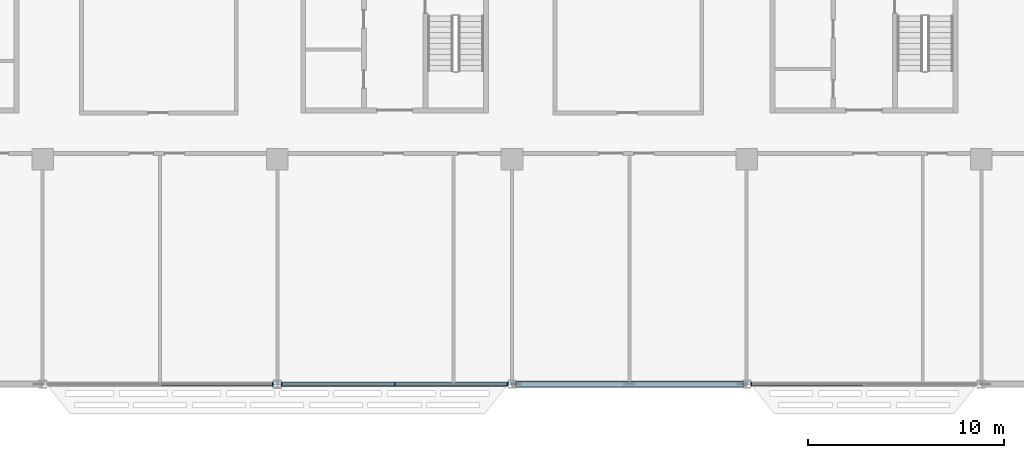
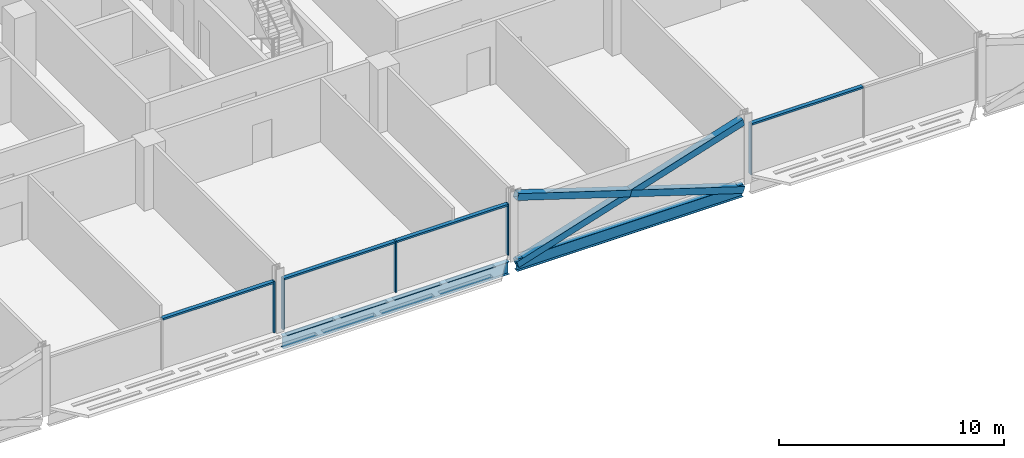
# One storey, part 6 of 30: 12 members, 2 beams, 3 elements without a shape of their own.
"""IFC4 building model written with IfcOpenShell, lengths in metres."""

from ifc_helpers import new_model, si_unit, direction, frame, origin, origin_2d, place, context, subcontext, project, spatial, rectangle, hollow_rectangle, i_section, extrude, material, material_profile, profile_set, type_object, element, aggregate, save


model = new_model("IFC4")

# Units and contexts
model_context = context("Model", 3, precision=1e-05, world=origin(), true_north=direction((0.0, 1.0)))
body_context = subcontext(model_context, "Body", "Model", "MODEL_VIEW")
ifc_project = project(units=[si_unit("LENGTHUNIT", "METRE"), si_unit("AREAUNIT", "SQUARE_METRE"), si_unit("VOLUMEUNIT", "CUBIC_METRE"), si_unit("PLANEANGLEUNIT", "RADIAN"), si_unit("MASSUNIT", "GRAM", prefix="KILO")], contexts=[model_context])

# Site, building, storey
site_placement = place(None, origin())
site = spatial("IfcSite", under=ifc_project, at=site_placement, CompositionType="ELEMENT")
building_placement = place(site_placement, origin())
building = spatial("IfcBuilding", under=site, at=building_placement, Name="Mahtab Terrace Research Tower", CompositionType="ELEMENT")
storey_placement = place(building_placement, frame((0.0, 0.0, 201.5)))
storey = spatial("IfcBuildingStorey", under=building, at=storey_placement, Name="L48", CompositionType="ELEMENT", Elevation=201.5)

# Members
ifc_material_1 = material(Name="Steel ASTM A500 Gr C", Category="steel")
ifc_material_profile_1 = material_profile(ifc_material_1, hollow_rectangle(XDim=0.355712890625, YDim=0.355712890625, WallThickness=0.015869140625, at=origin_2d()), Name="HSS14X14X5/8")
ifc_profile_set_1 = profile_set([ifc_material_profile_1], Name="Steel ASTM A500 Gr C")
member_type_1 = type_object("IfcMemberType", Name="HSS 14x14x5/8 brace XB141458", PredefinedType="BRACE", material=ifc_profile_set_1)
member_1_placement = place(storey_placement, frame((6.20068359375, -23.0, -0.615478515625), z_axis=(0.953343380425, 0.0, 0.301888057067), x_axis=(0.0, 1.0, 0.0)))
element("IfcMember", 1, at=member_1_placement, inside=storey, type_object=member_type_1, Name="Exoskeleton brace L48 17 a", PredefinedType="BRACE", context=body_context, shape_type="SweptSolid", body=[
    extrude(hollow_rectangle(XDim=0.355712890625, YDim=0.355712890625, WallThickness=0.015869140625, at=origin_2d()), origin(), (0.0, 0.0, 1.0), 12.166259765625),
])
for number, where, z_axis, x_axis, name in (
    (2, (17.79931640625, -23.0, -0.615478515625), (-0.953343380425, 0.0, 0.301888057067), (0.0, -1.0, 0.0), "Exoskeleton brace L48 17 b1"),
    (3, (12.0, -23.0, 1.220947265625), (-0.953343380425, 0.0, 0.301888057067), (0.0, -1.0, 0.0), "Exoskeleton brace L48 17 b2"),
):
    element("IfcMember", number, at=place(storey_placement, frame(where, z_axis=z_axis, x_axis=x_axis)), inside=storey, type_object=member_type_1, Name=name, PredefinedType="BRACE", context=body_context, shape_type="SweptSolid", body=[
        extrude(hollow_rectangle(XDim=0.355712890625, YDim=0.355712890625, WallThickness=0.015869140625, at=origin_2d()), origin(), (0.0, 0.0, 1.0), 6.083251953125),
    ])

# Curtain wall, member
ifc_material_2 = material(Name="Laboratory ribbon curtain wall")
curtain_wall_type = type_object("IfcCurtainWallType", Name="Laboratory ribbon curtain wall", PredefinedType="NOTDEFINED", material=ifc_material_2)
curtain_wall_1_placement = place(storey_placement, origin())
curtain_wall_1 = element("IfcCurtainWall", 4, at=curtain_wall_1_placement, inside=storey, type_object=curtain_wall_type, Name="EN.L48.13.25", PredefinedType="NOTDEFINED")
ifc_material_3 = material(Name="Natural anodised aluminium", Category="aluminium")
ifc_material_profile_2 = material_profile(ifc_material_3, rectangle(XDim=0.199951171875, YDim=0.06494140625, at=origin_2d()), Name="MULLION 65x200")
ifc_profile_set_2 = profile_set([ifc_material_profile_2], Name="Natural anodised aluminium")
member_type_2 = type_object("IfcMemberType", Name="Laboratory ribbon curtain wall mullion", PredefinedType="MULLION", material=ifc_profile_set_2)
member_2_placement = place(storey_placement, frame((-6.232421875, -23.0, 0.0), z_axis=(0.0, 0.0, 1.0), x_axis=(0.0, 1.0, 0.0)))
member_2 = element("IfcMember", 5, at=member_2_placement, type_object=member_type_2, Name="CWL-6 mullion 3", PredefinedType="MULLION", context=body_context, shape_type="SweptSolid", body=[
    extrude(rectangle(XDim=0.199951171875, YDim=0.06494140625, at=origin_2d()), origin(), (0.0, 0.0, 1.0), 2.78173828125),
])

# Curtain wall, members
curtain_wall_2_placement = place(storey_placement, origin())
curtain_wall_2 = element("IfcCurtainWall", 6, at=curtain_wall_2_placement, inside=storey, type_object=curtain_wall_type, Name="EN.L48.13.26", PredefinedType="NOTDEFINED")
member_3_placement = place(storey_placement, frame((-5.767578125, -23.0, 0.0), z_axis=(0.0, 0.0, 1.0), x_axis=(0.0, 1.0, 0.0)))
member_3 = element("IfcMember", 7, at=member_3_placement, type_object=member_type_2, Name="CWL-6 mullion 1", PredefinedType="MULLION", context=body_context, shape_type="SweptSolid", body=[
    extrude(rectangle(XDim=0.199951171875, YDim=0.06494140625, at=origin_2d()), origin(), (0.0, 0.0, 1.0), 2.78173828125),
])
member_4_placement = place(storey_placement, frame((0.0, -23.0, 0.0), z_axis=(0.0, 0.0, 1.0), x_axis=(0.0, 1.0, 0.0)))
member_4 = element("IfcMember", 8, at=member_4_placement, type_object=member_type_2, Name="CWL-6 mullion 2", PredefinedType="MULLION", context=body_context, shape_type="SweptSolid", body=[
    extrude(rectangle(XDim=0.199951171875, YDim=0.06494140625, at=origin_2d()), origin(), (0.0, 0.0, 1.0), 2.78173828125),
])
member_5_placement = place(storey_placement, frame((5.767578125, -23.0, 0.0), z_axis=(0.0, 0.0, 1.0), x_axis=(0.0, 1.0, 0.0)))
member_5 = element("IfcMember", 9, at=member_5_placement, type_object=member_type_2, Name="CWL-6 mullion 3", PredefinedType="MULLION", context=body_context, shape_type="SweptSolid", body=[
    extrude(rectangle(XDim=0.199951171875, YDim=0.06494140625, at=origin_2d()), origin(), (0.0, 0.0, 1.0), 2.78173828125),
])

# Curtain wall, member
curtain_wall_3_placement = place(storey_placement, origin())
curtain_wall_3 = element("IfcCurtainWall", 10, at=curtain_wall_3_placement, inside=storey, type_object=curtain_wall_type, Name="EN.L48.13.28", PredefinedType="NOTDEFINED")
member_6_placement = place(storey_placement, frame((18.232421875, -23.0, 0.0), z_axis=(0.0, 0.0, 1.0), x_axis=(0.0, 1.0, 0.0)))
member_6 = element("IfcMember", 11, at=member_6_placement, type_object=member_type_2, Name="CWL-6 mullion 1", PredefinedType="MULLION", context=body_context, shape_type="SweptSolid", body=[
    extrude(rectangle(XDim=0.199951171875, YDim=0.06494140625, at=origin_2d()), origin(), (0.0, 0.0, 1.0), 2.78173828125),
])

# Member
ifc_material_profile_3 = material_profile(ifc_material_3, rectangle(XDim=0.199951171875, YDim=0.10009765625, at=origin_2d()), Name="TRANSOM 100x200")
ifc_profile_set_3 = profile_set([ifc_material_profile_3], Name="Natural anodised aluminium")
member_type_3 = type_object("IfcMemberType", Name="Laboratory ribbon curtain wall transom", PredefinedType="USERDEFINED", material=ifc_profile_set_3)
member_7_placement = place(storey_placement, frame((-11.967529296875, -23.0, 2.731689453125), z_axis=(1.0, 0.0, 0.0), x_axis=(0.0, 1.0, 0.0)))
member_7 = element("IfcMember", 12, at=member_7_placement, type_object=member_type_3, Name="CWL-6 transom 2", ObjectType="TRANSOM", PredefinedType="USERDEFINED", context=body_context, shape_type="SweptSolid", body=[
    extrude(rectangle(XDim=0.199951171875, YDim=0.10009765625, at=origin_2d()), origin(), (0.0, 0.0, 1.0), 5.70263671875),
])

aggregate(curtain_wall_1, [member_2, member_7])

member_8_placement = place(storey_placement, frame((-5.735107421875, -23.0, 2.731689453125), z_axis=(1.0, 0.0, 0.0), x_axis=(0.0, 1.0, 0.0)))
member_8 = element("IfcMember", 13, at=member_8_placement, type_object=member_type_3, Name="CWL-6 transom 1", ObjectType="TRANSOM", PredefinedType="USERDEFINED", context=body_context, shape_type="SweptSolid", body=[
    extrude(rectangle(XDim=0.199951171875, YDim=0.10009765625, at=origin_2d()), origin(), (0.0, 0.0, 1.0), 5.70263671875),
])

member_9_placement = place(storey_placement, frame((0.032470703125, -23.0, 2.731689453125), z_axis=(1.0, 0.0, 0.0), x_axis=(0.0, 1.0, 0.0)))
member_9 = element("IfcMember", 14, at=member_9_placement, type_object=member_type_3, Name="CWL-6 transom 2", ObjectType="TRANSOM", PredefinedType="USERDEFINED", context=body_context, shape_type="SweptSolid", body=[
    extrude(rectangle(XDim=0.199951171875, YDim=0.10009765625, at=origin_2d()), origin(), (0.0, 0.0, 1.0), 5.70263671875),
])

aggregate(curtain_wall_2, [member_3, member_4, member_5, member_8, member_9])

member_10_placement = place(storey_placement, frame((18.264892578125, -23.0, 2.731689453125), z_axis=(1.0, 0.0, 0.0), x_axis=(0.0, 1.0, 0.0)))
member_10 = element("IfcMember", 15, at=member_10_placement, type_object=member_type_3, Name="CWL-6 transom 1", ObjectType="TRANSOM", PredefinedType="USERDEFINED", context=body_context, shape_type="SweptSolid", body=[
    extrude(rectangle(XDim=0.199951171875, YDim=0.10009765625, at=origin_2d()), origin(), (0.0, 0.0, 1.0), 5.70263671875),
])

aggregate(curtain_wall_3, [member_6, member_10])

# Beams
ifc_material_4 = material(Name="Steel ASTM A992 Gr 50", Category="steel")
ifc_material_profile_4 = material_profile(ifc_material_4, i_section(OverallWidth=0.25390625, OverallDepth=0.67822265625, WebThickness=0.01171875, FlangeThickness=0.016357421875, at=origin_2d()), Name="W27X84")
ifc_profile_set_4 = profile_set([ifc_material_profile_4], Name="Steel ASTM A992 Gr 50")
beam_type = type_object("IfcBeamType", Name="W27x84 beam BS2784", PredefinedType="BEAM", material=ifc_profile_set_4)
for number, where, z_axis, x_axis, name in (
    (16, (-5.79931640625, -23.0, -0.67919921875), (1.0, 0.0, 0.0), (0.0, 1.0, 0.0), "Spandrel beam L48 16"),
    (17, (6.20068359375, -23.0, -0.67919921875), (1.0, 0.0, 0.0), (0.0, 1.0, 0.0), "Spandrel beam L48 17"),
):
    element("IfcBeam", number, at=place(storey_placement, frame(where, z_axis=z_axis, x_axis=x_axis)), inside=storey, type_object=beam_type, Name=name, PredefinedType="BEAM", context=body_context, shape_type="SweptSolid", body=[
        extrude(i_section(OverallWidth=0.25390625, OverallDepth=0.67822265625, WebThickness=0.01171875, FlangeThickness=0.016357421875, at=origin_2d()), origin(), (0.0, 0.0, 1.0), 11.5986328125),
    ])

save(model, "model.ifc")
